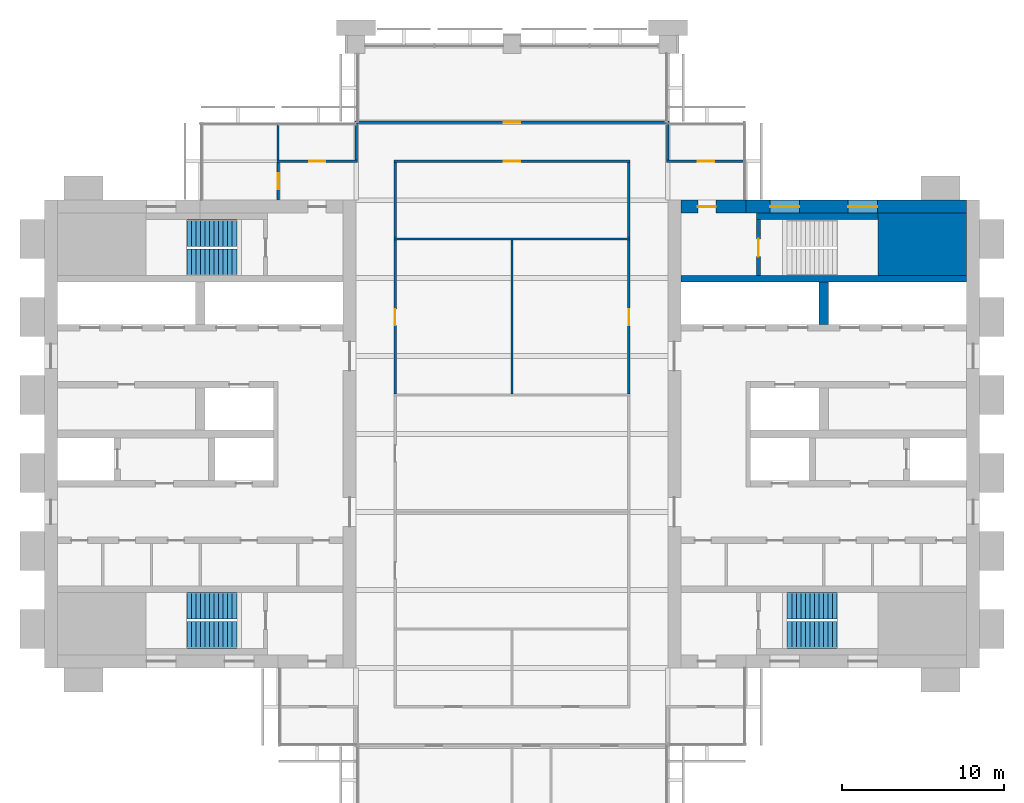
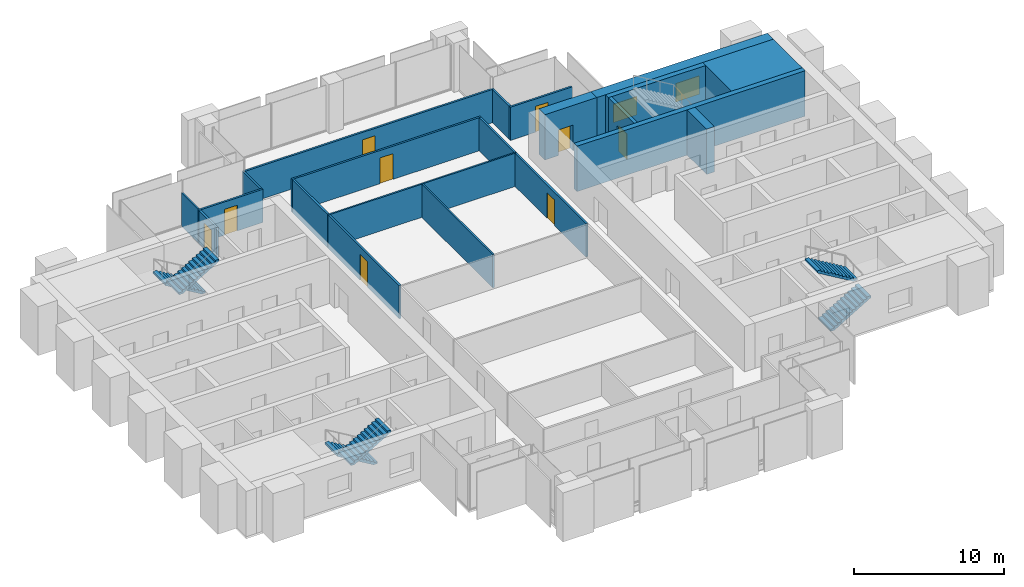
# One storey, part 11 of 13: 21 walls, 9 doors, 6 stair flights, 2 windows, 11 openings, 3 elements without a shape of their own.
"""IFC4 building model written with IfcOpenShell, lengths in metres."""

from ifc_helpers import new_model, si_unit, direction, frame, frame_2d, origin, place, context, subcontext, project, spatial, polyline, rectangle, outline, extrude, material, layer, layer_set, type_object, element, fill, aggregate, save


model = new_model("IFC4")

# Units and contexts
model_context = context("Model", 3, precision=1e-05, world=origin(), true_north=direction((0.0, 1.0)))
body_context = subcontext(model_context, "Body", "Model", "MODEL_VIEW")
ifc_project = project(units=[si_unit("LENGTHUNIT", "METRE"), si_unit("AREAUNIT", "SQUARE_METRE"), si_unit("VOLUMEUNIT", "CUBIC_METRE"), si_unit("PLANEANGLEUNIT", "RADIAN"), si_unit("MASSUNIT", "GRAM", prefix="KILO")], contexts=[model_context])

# Site, building, storey
site_placement = place(None, origin())
site = spatial("IfcSite", under=ifc_project, at=site_placement, CompositionType="ELEMENT")
building_placement = place(site_placement, origin())
building = spatial("IfcBuilding", under=site, at=building_placement, Name="Baori Bourse Tower", CompositionType="ELEMENT")
storey_placement = place(building_placement, frame((0.0, 0.0, 261.199951171875)))
storey = spatial("IfcBuildingStorey", under=building, at=storey_placement, Name="L58", CompositionType="ELEMENT", Elevation=261.199951171875)

# Wall
ifc_material_1 = material(Name="Concrete f'c 50 MPa", Category="concrete")
wall_type_1 = type_object("IfcWallType", Name="Core corner block f'c 50", PredefinedType="SHEAR", material=ifc_material_1)
wall_1_placement = place(storey_placement, frame((51.35009765625, 35.675048828125, 0.0), z_axis=(0.0, 0.0, 1.0), x_axis=(1.0, 0.0, 0.0)))
element("IfcWall", 1, at=wall_1_placement, inside=storey, type_object=wall_type_1, Name="Core wall E24", PredefinedType="SHEAR", context=body_context, shape_type="SweptSolid", body=[
    extrude(rectangle(XDim=5.449951171875, YDim=3.85009765625, at=frame_2d((2.72509765625, 0.0))), origin(), (0.0, 0.0, 1.0), 3.699951171875),
])

# Wall, openings, windows
ifc_material_2 = material(Name="Concrete f'c 50 MPa", Category="concrete")
ifc_layer_1 = layer(ifc_material_2, 0.800048828125)
ifc_layer_set_1 = layer_set([ifc_layer_1], Name="Core wall 800 f'c 50")
wall_type_2 = type_object("IfcWallType", Name="Core wall 800 f'c 50", PredefinedType="SHEAR", material=ifc_layer_set_1)
wall_2_placement = place(storey_placement, frame((43.199951171875, 38.0, 0.0), z_axis=(0.0, 0.0, 1.0), x_axis=(1.0, 0.0, 0.0)))
wall_2 = element("IfcWall", 2, at=wall_2_placement, inside=storey, type_object=wall_type_2, Name="Core wall E27", PredefinedType="SHEAR", context=body_context, shape_type="SweptSolid", body=[
    extrude(rectangle(XDim=13.60009765625, YDim=0.800048828125, at=frame_2d((6.800048828125, 0.0))), origin(), (0.0, 0.0, 1.0), 3.699951171875),
])
opening_1_placement = place(wall_2_placement, frame((6.300048828125, 0.0, 0.89990234375)))
opening_1 = element("IfcOpeningElement", 3, at=opening_1_placement, cuts=wall_2, Name="Opening L58-KW205", PredefinedType="OPENING", context=body_context, shape_type="SweptSolid", body=[
    extrude(rectangle(XDim=1.800048828125, YDim=1.5, at=frame_2d((0.89990234375, 0.75))), frame((0.0, 0.409912109375, 0.0), z_axis=(0.0, -1.0, 0.0), x_axis=(1.0, 0.0, 0.0)), (0.0, 0.0, 1.0), 0.820068359375),
])
opening_2_placement = place(wall_2_placement, frame((1.5, 0.0, 0.89990234375)))
opening_2 = element("IfcOpeningElement", 4, at=opening_2_placement, cuts=wall_2, Name="Opening L58-KW206", PredefinedType="OPENING", context=body_context, shape_type="SweptSolid", body=[
    extrude(rectangle(XDim=1.800048828125, YDim=1.5, at=frame_2d((0.89990234375, 0.75))), frame((0.0, 0.409912109375, 0.0), z_axis=(0.0, -1.0, 0.0), x_axis=(1.0, 0.0, 0.0)), (0.0, 0.0, 1.0), 0.820068359375),
])
ifc_material_3 = material(Name="Pale anodised aluminium", Category="aluminium")
window_type = type_object("IfcWindowType", Name="Stair window 1800 x 1500", PartitioningType="SINGLE_PANEL", PredefinedType="WINDOW", material=ifc_material_3)
window_1_placement = place(opening_1_placement, origin())
window_1 = element("IfcWindow", 5, at=window_1_placement, inside=storey, type_object=window_type, Name="Stair window E L58 5", OverallHeight=1.5, OverallWidth=1.800048828125, PartitioningType="SINGLE_PANEL", PredefinedType="WINDOW", context=body_context, shape_type="SweptSolid", body=[
    extrude(rectangle(XDim=1.800048828125, YDim=1.5, at=frame_2d((0.89990234375, 0.75))), frame((0.0, 0.030029296875, 0.0), z_axis=(0.0, -1.0, 0.0), x_axis=(1.0, 0.0, 0.0)), (0.0, 0.0, 1.0), 0.06005859375),
])
fill(opening_1, window_1)
window_2_placement = place(opening_2_placement, origin())
window_2 = element("IfcWindow", 6, at=window_2_placement, inside=storey, type_object=window_type, Name="Stair window E L58 6", OverallHeight=1.5, OverallWidth=1.800048828125, PartitioningType="SINGLE_PANEL", PredefinedType="WINDOW", context=body_context, shape_type="SweptSolid", body=[
    extrude(rectangle(XDim=1.800048828125, YDim=1.5, at=frame_2d((0.89990234375, 0.75))), frame((0.0, 0.030029296875, 0.0), z_axis=(0.0, -1.0, 0.0), x_axis=(1.0, 0.0, 0.0)), (0.0, 0.0, 1.0), 0.06005859375),
])
fill(opening_2, window_2)

# Wall, opening, door
wall_3_placement = place(storey_placement, frame((39.199951171875, 38.0, 0.0), z_axis=(0.0, 0.0, 1.0), x_axis=(1.0, 0.0, 0.0)))
wall_3 = element("IfcWall", 7, at=wall_3_placement, inside=storey, type_object=wall_type_2, Name="Core wall E28", PredefinedType="SHEAR", context=body_context, shape_type="SweptSolid", body=[
    extrude(rectangle(XDim=4.0, YDim=0.800048828125, at=frame_2d((2.0, 0.0))), origin(), (0.0, 0.0, 1.0), 3.699951171875),
])
opening_3_placement = place(wall_3_placement, frame((1.050048828125, 0.0, 0.0)))
opening_3 = element("IfcOpeningElement", 8, at=opening_3_placement, cuts=wall_3, Name="Opening L58-D204", PredefinedType="OPENING", context=body_context, shape_type="SweptSolid", body=[
    extrude(rectangle(XDim=1.10009765625, YDim=2.10009765625, at=frame_2d((0.550048828125, 1.050048828125))), frame((0.0, 0.409912109375, 0.0), z_axis=(0.0, -1.0, 0.0), x_axis=(1.0, 0.0, 0.0)), (0.0, 0.0, 1.0), 0.820068359375),
])
ifc_material_4 = material(Name="Painted steel door", Category="steel")
door_type_1 = type_object("IfcDoorType", Name="Stair door 1100", OperationType="SINGLE_SWING_LEFT", PredefinedType="DOOR", material=ifc_material_4)
door_1_placement = place(opening_3_placement, origin())
door_1 = element("IfcDoor", 9, at=door_1_placement, inside=storey, type_object=door_type_1, Name="Stair vestibule door B E L58", OperationType="SINGLE_SWING_LEFT", OverallHeight=2.10009765625, OverallWidth=1.10009765625, PredefinedType="DOOR", context=body_context, shape_type="SweptSolid", body=[
    extrude(rectangle(XDim=1.10009765625, YDim=2.10009765625, at=frame_2d((0.550048828125, 1.050048828125))), frame((0.0, 0.02490234375, 0.0), z_axis=(0.0, -1.0, 0.0), x_axis=(1.0, 0.0, 0.0)), (0.0, 0.0, 1.0), 0.050048828125),
])
fill(opening_3, door_1)

ifc_material_5 = material(Name="Gypsum board partition")
ifc_layer_2 = layer(ifc_material_5, 0.14990234375)
ifc_layer_set_2 = layer_set([ifc_layer_2], Name="Corridor partition 150")
wall_type_3 = type_object("IfcWallType", Name="Corridor partition 150", PredefinedType="PARTITIONING", material=ifc_layer_set_2)
wall_4_placement = place(storey_placement, frame((14.324951171875, 40.800048828125, 0.0), z_axis=(0.0, 0.0, 1.0), x_axis=(1.0, 0.0, 0.0)))
wall_4 = element("IfcWall", 10, at=wall_4_placement, inside=storey, type_object=wall_type_3, Name="Partition", PredefinedType="PARTITIONING", context=body_context, shape_type="SweptSolid", body=[
    extrude(rectangle(XDim=4.949951171875, YDim=0.14990234375, at=frame_2d((2.47509765625, 0.0))), origin(), (0.0, 0.0, 1.0), 2.70947265625),
])
opening_4_placement = place(wall_4_placement, frame((1.97509765625, 0.0, 0.0)))
opening_4 = element("IfcOpeningElement", 11, at=opening_4_placement, cuts=wall_4, Name="Opening L58-D08", PredefinedType="OPENING", context=body_context, shape_type="SweptSolid", body=[
    extrude(rectangle(XDim=1.0, YDim=2.10009765625, at=frame_2d((0.5, 1.050048828125))), frame((0.0, 0.0849609375, 0.0), z_axis=(0.0, -1.0, 0.0), x_axis=(1.0, 0.0, 0.0)), (0.0, 0.0, 1.0), 0.169921875),
])
ifc_material_6 = material(Name="Timber door leaf", Category="wood")
door_type_2 = type_object("IfcDoorType", Name="Door 1000 x 2100", OperationType="SINGLE_SWING_LEFT", PredefinedType="DOOR", material=ifc_material_6)
door_2_placement = place(opening_4_placement, origin())
door_2 = element("IfcDoor", 12, at=door_2_placement, inside=storey, type_object=door_type_2, Name="Door", OperationType="SINGLE_SWING_LEFT", OverallHeight=2.10009765625, OverallWidth=1.0, PredefinedType="DOOR", context=body_context, shape_type="SweptSolid", body=[
    extrude(rectangle(XDim=1.0, YDim=2.10009765625, at=frame_2d((0.5, 1.050048828125))), frame((0.0, 0.02490234375, 0.0), z_axis=(0.0, -1.0, 0.0), x_axis=(1.0, 0.0, 0.0)), (0.0, 0.0, 1.0), 0.050048828125),
])
fill(opening_4, door_2)

wall_5_placement = place(storey_placement, frame((21.52490234375, 40.800048828125, 0.0), z_axis=(0.0, 0.0, 1.0), x_axis=(1.0, 0.0, 0.0)))
wall_5 = element("IfcWall", 13, at=wall_5_placement, inside=storey, type_object=wall_type_3, Name="Partition", PredefinedType="PARTITIONING", context=body_context, shape_type="SweptSolid", body=[
    extrude(rectangle(XDim=14.550048828125, YDim=0.14990234375, at=frame_2d((7.27490234375, 0.0))), origin(), (0.0, 0.0, 1.0), 2.70947265625),
])
opening_5_placement = place(wall_5_placement, frame((6.77490234375, 0.0, 0.0)))
opening_5 = element("IfcOpeningElement", 14, at=opening_5_placement, cuts=wall_5, Name="Opening L58-D09", PredefinedType="OPENING", context=body_context, shape_type="SweptSolid", body=[
    extrude(rectangle(XDim=1.0, YDim=2.10009765625, at=frame_2d((0.5, 1.050048828125))), frame((0.0, 0.0849609375, 0.0), z_axis=(0.0, -1.0, 0.0), x_axis=(1.0, 0.0, 0.0)), (0.0, 0.0, 1.0), 0.169921875),
])
door_3_placement = place(opening_5_placement, origin())
door_3 = element("IfcDoor", 15, at=door_3_placement, inside=storey, type_object=door_type_2, Name="Door", OperationType="SINGLE_SWING_LEFT", OverallHeight=2.10009765625, OverallWidth=1.0, PredefinedType="DOOR", context=body_context, shape_type="SweptSolid", body=[
    extrude(rectangle(XDim=1.0, YDim=2.10009765625, at=frame_2d((0.5, 1.050048828125))), frame((0.0, 0.02490234375, 0.0), z_axis=(0.0, -1.0, 0.0), x_axis=(1.0, 0.0, 0.0)), (0.0, 0.0, 1.0), 0.050048828125),
])
fill(opening_5, door_3)

wall_6_placement = place(storey_placement, frame((38.324951171875, 40.800048828125, 0.0), z_axis=(0.0, 0.0, 1.0), x_axis=(1.0, 0.0, 0.0)))
wall_6 = element("IfcWall", 16, at=wall_6_placement, inside=storey, type_object=wall_type_3, Name="Partition", PredefinedType="PARTITIONING", context=body_context, shape_type="SweptSolid", body=[
    extrude(rectangle(XDim=4.775146484375, YDim=0.14990234375, at=frame_2d((2.3876953125, 0.0))), origin(), (0.0, 0.0, 1.0), 2.70947265625),
])
opening_6_placement = place(wall_6_placement, frame((1.925048828125, 0.0, 0.0)))
opening_6 = element("IfcOpeningElement", 17, at=opening_6_placement, cuts=wall_6, Name="Opening L58-D10", PredefinedType="OPENING", context=body_context, shape_type="SweptSolid", body=[
    extrude(rectangle(XDim=1.0, YDim=2.10009765625, at=frame_2d((0.5, 1.050048828125))), frame((0.0, 0.0849609375, 0.0), z_axis=(0.0, -1.0, 0.0), x_axis=(1.0, 0.0, 0.0)), (0.0, 0.0, 1.0), 0.169921875),
])
door_4_placement = place(opening_6_placement, origin())
door_4 = element("IfcDoor", 18, at=door_4_placement, inside=storey, type_object=door_type_2, Name="Door", OperationType="SINGLE_SWING_LEFT", OverallHeight=2.10009765625, OverallWidth=1.0, PredefinedType="DOOR", context=body_context, shape_type="SweptSolid", body=[
    extrude(rectangle(XDim=1.0, YDim=2.10009765625, at=frame_2d((0.5, 1.050048828125))), frame((0.0, 0.02490234375, 0.0), z_axis=(0.0, -1.0, 0.0), x_axis=(1.0, 0.0, 0.0)), (0.0, 0.0, 1.0), 0.050048828125),
])
fill(opening_6, door_4)

wall_7_placement = place(storey_placement, frame((19.125, 43.199951171875, 0.0), z_axis=(0.0, 0.0, 1.0), x_axis=(1.0, 0.0, 0.0)))
wall_7 = element("IfcWall", 19, at=wall_7_placement, inside=storey, type_object=wall_type_3, Name="Partition", PredefinedType="PARTITIONING", context=body_context, shape_type="SweptSolid", body=[
    extrude(rectangle(XDim=19.35009765625, YDim=0.14990234375, at=frame_2d((9.675048828125, 0.0))), origin(), (0.0, 0.0, 1.0), 2.70947265625),
])
opening_7_placement = place(wall_7_placement, frame((9.175048828125, 0.0, 0.0)))
opening_7 = element("IfcOpeningElement", 20, at=opening_7_placement, cuts=wall_7, Name="Opening L58-D11", PredefinedType="OPENING", context=body_context, shape_type="SweptSolid", body=[
    extrude(rectangle(XDim=1.0, YDim=2.10009765625, at=frame_2d((0.5, 1.050048828125))), frame((0.0, 0.0849609375, 0.0), z_axis=(0.0, -1.0, 0.0), x_axis=(1.0, 0.0, 0.0)), (0.0, 0.0, 1.0), 0.169921875),
])
door_5_placement = place(opening_7_placement, origin())
door_5 = element("IfcDoor", 21, at=door_5_placement, inside=storey, type_object=door_type_2, Name="Door", OperationType="SINGLE_SWING_RIGHT", OverallHeight=2.10009765625, OverallWidth=1.0, PredefinedType="DOOR", context=body_context, shape_type="SweptSolid", body=[
    extrude(rectangle(XDim=1.0, YDim=2.10009765625, at=frame_2d((0.5, 1.050048828125))), frame((0.0, 0.02490234375, 0.0), z_axis=(0.0, -1.0, 0.0), x_axis=(1.0, 0.0, 0.0)), (0.0, 0.0, 1.0), 0.050048828125),
])
fill(opening_7, door_5)

wall_8_placement = place(storey_placement, frame((14.39990234375, 38.39990234375, 0.0), z_axis=(0.0, 0.0, 1.0), x_axis=(0.0, 1.0, 0.0)))
wall_8 = element("IfcWall", 22, at=wall_8_placement, inside=storey, type_object=wall_type_3, Name="Partition", PredefinedType="PARTITIONING", context=body_context, shape_type="SweptSolid", body=[
    extrude(rectangle(XDim=2.3251953125, YDim=0.14990234375, at=frame_2d((1.16259765625, 0.0))), origin(), (0.0, 0.0, 1.0), 2.70947265625),
])
opening_8_placement = place(wall_8_placement, frame((0.66259765625, 0.0, 0.0)))
opening_8 = element("IfcOpeningElement", 23, at=opening_8_placement, cuts=wall_8, Name="Opening L58-D12", PredefinedType="OPENING", context=body_context, shape_type="SweptSolid", body=[
    extrude(rectangle(XDim=1.0, YDim=2.10009765625, at=frame_2d((0.5, 1.050048828125))), frame((0.0, 0.0849609375, 0.0), z_axis=(0.0, -1.0, 0.0), x_axis=(1.0, 0.0, 0.0)), (0.0, 0.0, 1.0), 0.169921875),
])
door_6_placement = place(opening_8_placement, origin())
door_6 = element("IfcDoor", 24, at=door_6_placement, inside=storey, type_object=door_type_2, Name="Door", OperationType="SINGLE_SWING_RIGHT", OverallHeight=2.10009765625, OverallWidth=1.0, PredefinedType="DOOR", context=body_context, shape_type="SweptSolid", body=[
    extrude(rectangle(XDim=1.0, YDim=2.10009765625, at=frame_2d((0.5, 1.050048828125))), frame((0.0, 0.02490234375, 0.0), z_axis=(0.0, -1.0, 0.0), x_axis=(1.0, 0.0, 0.0)), (0.0, 0.0, 1.0), 0.050048828125),
])
fill(opening_8, door_6)

# Wall
wall_9_placement = place(storey_placement, frame((19.199951171875, 40.875, 0.0), z_axis=(0.0, 0.0, 1.0), x_axis=(0.0, 1.0, 0.0)))
element("IfcWall", 25, at=wall_9_placement, inside=storey, type_object=wall_type_3, Name="Partition", PredefinedType="PARTITIONING", context=body_context, shape_type="SweptSolid", body=[
    extrude(rectangle(XDim=2.25, YDim=0.14990234375, at=frame_2d((1.125, 0.0))), origin(), (0.0, 0.0, 1.0), 2.70947265625),
])

# Wall, opening, door
wall_10_placement = place(storey_placement, frame((21.60009765625, 26.46240234375, 0.0), z_axis=(0.0, 0.0, 1.0), x_axis=(0.0, 1.0, 0.0)))
wall_10 = element("IfcWall", 26, at=wall_10_placement, inside=storey, type_object=wall_type_3, Name="Partition", PredefinedType="PARTITIONING", context=body_context, shape_type="SweptSolid", body=[
    extrude(rectangle(XDim=9.47509765625, YDim=0.14990234375, at=frame_2d((4.737548828125, 0.0))), origin(), (0.0, 0.0, 1.0), 2.70947265625),
])
opening_9_placement = place(wall_10_placement, frame((4.237548828125, 0.0, 0.0)))
opening_9 = element("IfcOpeningElement", 27, at=opening_9_placement, cuts=wall_10, Name="Opening L58-D15", PredefinedType="OPENING", context=body_context, shape_type="SweptSolid", body=[
    extrude(rectangle(XDim=1.0, YDim=2.10009765625, at=frame_2d((0.5, 1.050048828125))), frame((0.0, 0.0849609375, 0.0), z_axis=(0.0, -1.0, 0.0), x_axis=(1.0, 0.0, 0.0)), (0.0, 0.0, 1.0), 0.169921875),
])
door_7_placement = place(opening_9_placement, origin())
door_7 = element("IfcDoor", 28, at=door_7_placement, inside=storey, type_object=door_type_2, Name="Door", OperationType="SINGLE_SWING_LEFT", OverallHeight=2.10009765625, OverallWidth=1.0, PredefinedType="DOOR", context=body_context, shape_type="SweptSolid", body=[
    extrude(rectangle(XDim=1.0, YDim=2.10009765625, at=frame_2d((0.5, 1.050048828125))), frame((0.0, 0.02490234375, 0.0), z_axis=(0.0, -1.0, 0.0), x_axis=(1.0, 0.0, 0.0)), (0.0, 0.0, 1.0), 0.050048828125),
])
fill(opening_9, door_7)

# Wall
wall_11_placement = place(storey_placement, frame((21.60009765625, 36.0625, 0.0), z_axis=(0.0, 0.0, 1.0), x_axis=(0.0, 1.0, 0.0)))
element("IfcWall", 29, at=wall_11_placement, inside=storey, type_object=wall_type_3, Name="Partition", PredefinedType="PARTITIONING", context=body_context, shape_type="SweptSolid", body=[
    extrude(rectangle(XDim=4.66259765625, YDim=0.14990234375, at=frame_2d((2.331298828125, 0.0))), origin(), (0.0, 0.0, 1.0), 2.70947265625),
])

# Wall, opening, door
wall_12_placement = place(storey_placement, frame((36.0, 26.46240234375, 0.0), z_axis=(0.0, 0.0, 1.0), x_axis=(0.0, 1.0, 0.0)))
wall_12 = element("IfcWall", 30, at=wall_12_placement, inside=storey, type_object=wall_type_3, Name="Partition", PredefinedType="PARTITIONING", context=body_context, shape_type="SweptSolid", body=[
    extrude(rectangle(XDim=9.47509765625, YDim=0.14990234375, at=frame_2d((4.737548828125, 0.0))), origin(), (0.0, 0.0, 1.0), 2.70947265625),
])
opening_10_placement = place(wall_12_placement, frame((4.237548828125, 0.0, 0.0)))
opening_10 = element("IfcOpeningElement", 31, at=opening_10_placement, cuts=wall_12, Name="Opening L58-D16", PredefinedType="OPENING", context=body_context, shape_type="SweptSolid", body=[
    extrude(rectangle(XDim=1.0, YDim=2.10009765625, at=frame_2d((0.5, 1.050048828125))), frame((0.0, 0.0849609375, 0.0), z_axis=(0.0, -1.0, 0.0), x_axis=(1.0, 0.0, 0.0)), (0.0, 0.0, 1.0), 0.169921875),
])
door_8_placement = place(opening_10_placement, origin())
door_8 = element("IfcDoor", 32, at=door_8_placement, inside=storey, type_object=door_type_2, Name="Door", OperationType="SINGLE_SWING_RIGHT", OverallHeight=2.10009765625, OverallWidth=1.0, PredefinedType="DOOR", context=body_context, shape_type="SweptSolid", body=[
    extrude(rectangle(XDim=1.0, YDim=2.10009765625, at=frame_2d((0.5, 1.050048828125))), frame((0.0, 0.02490234375, 0.0), z_axis=(0.0, -1.0, 0.0), x_axis=(1.0, 0.0, 0.0)), (0.0, 0.0, 1.0), 0.050048828125),
])
fill(opening_10, door_8)

# Walls
wall_13_placement = place(storey_placement, frame((36.0, 36.0625, 0.0), z_axis=(0.0, 0.0, 1.0), x_axis=(0.0, 1.0, 0.0)))
element("IfcWall", 33, at=wall_13_placement, inside=storey, type_object=wall_type_3, Name="Partition", PredefinedType="PARTITIONING", context=body_context, shape_type="SweptSolid", body=[
    extrude(rectangle(XDim=4.66259765625, YDim=0.14990234375, at=frame_2d((2.331298828125, 0.0))), origin(), (0.0, 0.0, 1.0), 2.70947265625),
])
wall_14_placement = place(storey_placement, frame((38.39990234375, 40.875, 0.0), z_axis=(0.0, 0.0, 1.0), x_axis=(0.0, 1.0, 0.0)))
element("IfcWall", 34, at=wall_14_placement, inside=storey, type_object=wall_type_3, Name="Partition", PredefinedType="PARTITIONING", context=body_context, shape_type="SweptSolid", body=[
    extrude(rectangle(XDim=2.25, YDim=0.14990234375, at=frame_2d((1.125, 0.0))), origin(), (0.0, 0.0, 1.0), 2.70947265625),
])
ifc_material_7 = material(Name="Gypsum board partition")
ifc_layer_3 = layer(ifc_material_7, 0.125)
ifc_layer_set_3 = layer_set([ifc_layer_3], Name="Partition 125")
wall_type_4 = type_object("IfcWallType", Name="Partition 125", PredefinedType="PARTITIONING", material=ifc_layer_set_3)
wall_15_placement = place(storey_placement, frame((21.52490234375, 36.0, 0.0), z_axis=(0.0, 0.0, 1.0), x_axis=(1.0, 0.0, 0.0)))
element("IfcWall", 35, at=wall_15_placement, inside=storey, type_object=wall_type_4, Name="Partition", PredefinedType="PARTITIONING", context=body_context, shape_type="SweptSolid", body=[
    extrude(rectangle(XDim=14.550048828125, YDim=0.125, at=frame_2d((7.27490234375, 0.0))), origin(), (0.0, 0.0, 1.0), 2.70947265625),
])
wall_16_placement = place(storey_placement, frame((14.39990234375, 40.875, 0.0), z_axis=(0.0, 0.0, 1.0), x_axis=(0.0, 1.0, 0.0)))
element("IfcWall", 36, at=wall_16_placement, inside=storey, type_object=wall_type_4, Name="Partition", PredefinedType="PARTITIONING", context=body_context, shape_type="SweptSolid", body=[
    extrude(rectangle(XDim=2.22509765625, YDim=0.125, at=frame_2d((1.112548828125, 0.0))), origin(), (0.0, 0.0, 1.0), 2.70947265625),
])
wall_17_placement = place(storey_placement, frame((28.800048828125, 26.46240234375, 0.0), z_axis=(0.0, 0.0, 1.0), x_axis=(0.0, 1.0, 0.0)))
element("IfcWall", 37, at=wall_17_placement, inside=storey, type_object=wall_type_4, Name="Partition", PredefinedType="PARTITIONING", context=body_context, shape_type="SweptSolid", body=[
    extrude(rectangle(XDim=9.47509765625, YDim=0.125, at=frame_2d((4.737548828125, 0.0))), origin(), (0.0, 0.0, 1.0), 2.70947265625),
])

# Wall, opening, door
ifc_material_8 = material(Name="Concrete f'c 50 MPa", Category="concrete")
ifc_layer_4 = layer(ifc_material_8, 0.25)
ifc_layer_set_4 = layer_set([ifc_layer_4], Name="Shaft wall 250 f'c 50")
wall_type_5 = type_object("IfcWallType", Name="Shaft wall 250 f'c 50", PredefinedType="SHEAR", material=ifc_layer_set_4)
wall_18_placement = place(storey_placement, frame((43.97509765625, 33.75, 0.0), z_axis=(0.0, 0.0, 1.0), x_axis=(0.0, 1.0, 0.0)))
wall_18 = element("IfcWall", 38, at=wall_18_placement, inside=storey, type_object=wall_type_5, Name="Core wall E25", PredefinedType="SHEAR", context=body_context, shape_type="SweptSolid", body=[
    extrude(rectangle(XDim=3.449951171875, YDim=0.25, at=frame_2d((1.72509765625, 0.0))), origin(), (0.0, 0.0, 1.0), 3.699951171875),
])
opening_11_placement = place(wall_18_placement, frame((1.175048828125, 0.0, 0.0)))
opening_11 = element("IfcOpeningElement", 39, at=opening_11_placement, cuts=wall_18, Name="Opening L58-D203", PredefinedType="OPENING", context=body_context, shape_type="SweptSolid", body=[
    extrude(rectangle(XDim=1.10009765625, YDim=2.10009765625, at=frame_2d((0.550048828125, 1.050048828125))), frame((0.0, 0.135009765625, 0.0), z_axis=(0.0, -1.0, 0.0), x_axis=(1.0, 0.0, 0.0)), (0.0, 0.0, 1.0), 0.27001953125),
])
door_9_placement = place(opening_11_placement, origin())
door_9 = element("IfcDoor", 40, at=door_9_placement, inside=storey, type_object=door_type_1, Name="Stair door B E L58", OperationType="SINGLE_SWING_LEFT", OverallHeight=2.10009765625, OverallWidth=1.10009765625, PredefinedType="DOOR", context=body_context, shape_type="SweptSolid", body=[
    extrude(rectangle(XDim=1.10009765625, YDim=2.10009765625, at=frame_2d((0.550048828125, 1.050048828125))), frame((0.0, 0.02490234375, 0.0), z_axis=(0.0, -1.0, 0.0), x_axis=(1.0, 0.0, 0.0)), (0.0, 0.0, 1.0), 0.050048828125),
])
fill(opening_11, door_9)

# Walls
ifc_material_9 = material(Name="Concrete f'c 50 MPa", Category="concrete")
ifc_layer_5 = layer(ifc_material_9, 0.39990234375)
ifc_layer_set_5 = layer_set([ifc_layer_5], Name="Shaft wall 400 f'c 50")
wall_type_6 = type_object("IfcWallType", Name="Shaft wall 400 f'c 50", PredefinedType="SHEAR", material=ifc_layer_set_5)
wall_19_placement = place(storey_placement, frame((39.199951171875, 33.550048828125, 0.0), z_axis=(0.0, 0.0, 1.0), x_axis=(1.0, 0.0, 0.0)))
element("IfcWall", 41, at=wall_19_placement, inside=storey, type_object=wall_type_6, Name="Core wall E23", PredefinedType="SHEAR", context=body_context, shape_type="SweptSolid", body=[
    extrude(rectangle(XDim=17.60009765625, YDim=0.39990234375, at=frame_2d((8.800048828125, 0.0))), origin(), (0.0, 0.0, 1.0), 3.699951171875),
])
wall_20_placement = place(storey_placement, frame((43.85009765625, 37.39990234375, 0.0), z_axis=(0.0, 0.0, 1.0), x_axis=(1.0, 0.0, 0.0)))
element("IfcWall", 42, at=wall_20_placement, inside=storey, type_object=wall_type_6, Name="Core wall E26", PredefinedType="SHEAR", context=body_context, shape_type="SweptSolid", body=[
    extrude(rectangle(XDim=7.5, YDim=0.39990234375, at=frame_2d((3.75, 0.0))), origin(), (0.0, 0.0, 1.0), 3.699951171875),
])
ifc_material_10 = material(Name="Concrete f'c 50 MPa", Category="concrete")
ifc_layer_6 = layer(ifc_material_10, 0.60009765625)
ifc_layer_set_6 = layer_set([ifc_layer_6], Name="Shaft wall 600 f'c 50")
wall_type_7 = type_object("IfcWallType", Name="Shaft wall 600 f'c 50", PredefinedType="SHEAR", material=ifc_layer_set_6)
wall_21_placement = place(storey_placement, frame((48.0, 30.75, 0.0), z_axis=(0.0, 0.0, 1.0), x_axis=(0.0, 1.0, 0.0)))
element("IfcWall", 43, at=wall_21_placement, inside=storey, type_object=wall_type_7, Name="Core wall E22", PredefinedType="SHEAR", context=body_context, shape_type="SweptSolid", body=[
    extrude(rectangle(XDim=2.60009765625, YDim=0.60009765625, at=frame_2d((1.300048828125, 0.0))), origin(), (0.0, 0.0, 1.0), 3.699951171875),
])

# Stair, stair flights
ifc_material_11 = material(Name="Concrete f'c 50 MPa", Category="concrete")
stair_type = type_object("IfcStairType", Name="Core stair", PredefinedType="HALF_TURN_STAIR", material=ifc_material_11)
stair_1_placement = place(storey_placement, origin())
stair_1 = element("IfcStair", 44, at=stair_1_placement, inside=storey, type_object=stair_type, Name="L58 Stair WA", PredefinedType="HALF_TURN_STAIR")
ifc_material_12 = material(Name="Concrete f'c 50 MPa", Category="concrete")
stair_flight_type = type_object("IfcStairFlightType", Name="Core stair flight", PredefinedType="STRAIGHT", material=ifc_material_12)
stair_flight_1_placement = place(storey_placement, frame((11.85009765625, 13.425048828125, 0.0), z_axis=(0.0, 0.0, 1.0), x_axis=(-1.0, 0.0, 0.0)))
stair_flight_1 = element("IfcStairFlight", 45, at=stair_flight_1_placement, type_object=stair_flight_type, Name="ST1 flight 1", NumberOfRisers=12, NumberOfTreads=11, PredefinedType="STRAIGHT", RiserHeight=0.166666667, TreadLength=0.28, context=body_context, shape_type="SweptSolid", body=[
    extrude(outline(polyline([(0.0, 0.0), (0.0, 0.166748046875), (0.280029296875, 0.166748046875), (0.280029296875, 0.333251953125), (0.56005859375, 0.333251953125), (0.56005859375, 0.5), (0.840087890625, 0.5), (0.840087890625, 0.666748046875), (1.1201171875, 0.666748046875), (1.1201171875, 0.833251953125), (1.39990234375, 0.833251953125), (1.39990234375, 1.0), (1.679931640625, 1.0), (1.679931640625, 1.166748046875), (1.9599609375, 1.166748046875), (1.9599609375, 1.333251953125), (2.239990234375, 1.333251953125), (2.239990234375, 1.5), (2.52001953125, 1.5), (2.52001953125, 1.666748046875), (2.800048828125, 1.666748046875), (2.800048828125, 1.833251953125), (3.080078125, 1.833251953125), (3.080078125, 2.0), (3.080078125, 1.658935546875), (0.29296875, 0.0), (0.0, 0.0)])), frame((0.0, 0.824951171875, 0.0), z_axis=(0.0, -1.0, 0.0), x_axis=(1.0, 0.0, 0.0)), (0.0, 0.0, 1.0), 1.64990234375),
])
stair_flight_2_placement = place(storey_placement, frame((8.77001953125, 11.625, 2.0), z_axis=(0.0, 0.0, 1.0), x_axis=(1.0, 0.0, 0.0)))
stair_flight_2 = element("IfcStairFlight", 46, at=stair_flight_2_placement, type_object=stair_flight_type, Name="ST1 flight 2", NumberOfRisers=12, NumberOfTreads=11, PredefinedType="STRAIGHT", RiserHeight=0.166666667, TreadLength=0.28, context=body_context, shape_type="SweptSolid", body=[
    extrude(outline(polyline([(0.0, 0.0), (0.0, 0.166748046875), (0.280029296875, 0.166748046875), (0.280029296875, 0.333251953125), (0.56005859375, 0.333251953125), (0.56005859375, 0.5), (0.840087890625, 0.5), (0.840087890625, 0.666748046875), (1.1201171875, 0.666748046875), (1.1201171875, 0.833251953125), (1.39990234375, 0.833251953125), (1.39990234375, 1.0), (1.679931640625, 1.0), (1.679931640625, 1.166748046875), (1.9599609375, 1.166748046875), (1.9599609375, 1.333251953125), (2.239990234375, 1.333251953125), (2.239990234375, 1.5), (2.52001953125, 1.5), (2.52001953125, 1.666748046875), (2.800048828125, 1.666748046875), (2.800048828125, 1.833251953125), (3.080078125, 1.833251953125), (3.080078125, 2.0), (3.080078125, 1.658935546875), (0.29296875, 0.0), (0.0, 0.0)])), frame((0.0, 0.824951171875, 0.0), z_axis=(0.0, -1.0, 0.0), x_axis=(1.0, 0.0, 0.0)), (0.0, 0.0, 1.0), 1.64990234375),
])
aggregate(stair_1, [stair_flight_1, stair_flight_2])

stair_2_placement = place(storey_placement, origin())
stair_2 = element("IfcStair", 47, at=stair_2_placement, inside=storey, type_object=stair_type, Name="L58 Stair WB", PredefinedType="HALF_TURN_STAIR")
stair_flight_3_placement = place(storey_placement, frame((11.85009765625, 36.375, 0.0), z_axis=(0.0, 0.0, 1.0), x_axis=(-1.0, 0.0, 0.0)))
stair_flight_3 = element("IfcStairFlight", 48, at=stair_flight_3_placement, type_object=stair_flight_type, Name="ST2 flight 1", NumberOfRisers=12, NumberOfTreads=11, PredefinedType="STRAIGHT", RiserHeight=0.166666667, TreadLength=0.28, context=body_context, shape_type="SweptSolid", body=[
    extrude(outline(polyline([(0.0, 0.0), (0.0, 0.166748046875), (0.280029296875, 0.166748046875), (0.280029296875, 0.333251953125), (0.56005859375, 0.333251953125), (0.56005859375, 0.5), (0.840087890625, 0.5), (0.840087890625, 0.666748046875), (1.1201171875, 0.666748046875), (1.1201171875, 0.833251953125), (1.39990234375, 0.833251953125), (1.39990234375, 1.0), (1.679931640625, 1.0), (1.679931640625, 1.166748046875), (1.9599609375, 1.166748046875), (1.9599609375, 1.333251953125), (2.239990234375, 1.333251953125), (2.239990234375, 1.5), (2.52001953125, 1.5), (2.52001953125, 1.666748046875), (2.800048828125, 1.666748046875), (2.800048828125, 1.833251953125), (3.080078125, 1.833251953125), (3.080078125, 2.0), (3.080078125, 1.658935546875), (0.29296875, 0.0), (0.0, 0.0)])), frame((0.0, 0.824951171875, 0.0), z_axis=(0.0, -1.0, 0.0), x_axis=(1.0, 0.0, 0.0)), (0.0, 0.0, 1.0), 1.64990234375),
])
stair_flight_4_placement = place(storey_placement, frame((8.77001953125, 34.574951171875, 2.0), z_axis=(0.0, 0.0, 1.0), x_axis=(1.0, 0.0, 0.0)))
stair_flight_4 = element("IfcStairFlight", 49, at=stair_flight_4_placement, type_object=stair_flight_type, Name="ST2 flight 2", NumberOfRisers=12, NumberOfTreads=11, PredefinedType="STRAIGHT", RiserHeight=0.166666667, TreadLength=0.28, context=body_context, shape_type="SweptSolid", body=[
    extrude(outline(polyline([(0.0, 0.0), (0.0, 0.166748046875), (0.280029296875, 0.166748046875), (0.280029296875, 0.333251953125), (0.56005859375, 0.333251953125), (0.56005859375, 0.5), (0.840087890625, 0.5), (0.840087890625, 0.666748046875), (1.1201171875, 0.666748046875), (1.1201171875, 0.833251953125), (1.39990234375, 0.833251953125), (1.39990234375, 1.0), (1.679931640625, 1.0), (1.679931640625, 1.166748046875), (1.9599609375, 1.166748046875), (1.9599609375, 1.333251953125), (2.239990234375, 1.333251953125), (2.239990234375, 1.5), (2.52001953125, 1.5), (2.52001953125, 1.666748046875), (2.800048828125, 1.666748046875), (2.800048828125, 1.833251953125), (3.080078125, 1.833251953125), (3.080078125, 2.0), (3.080078125, 1.658935546875), (0.29296875, 0.0), (0.0, 0.0)])), frame((0.0, 0.824951171875, 0.0), z_axis=(0.0, -1.0, 0.0), x_axis=(1.0, 0.0, 0.0)), (0.0, 0.0, 1.0), 1.64990234375),
])
aggregate(stair_2, [stair_flight_3, stair_flight_4])

stair_3_placement = place(storey_placement, origin())
stair_3 = element("IfcStair", 50, at=stair_3_placement, inside=storey, type_object=stair_type, Name="L58 Stair EA", PredefinedType="HALF_TURN_STAIR")
stair_flight_5_placement = place(storey_placement, frame((45.75, 11.625, 0.0), z_axis=(0.0, 0.0, 1.0), x_axis=(1.0, 0.0, 0.0)))
stair_flight_5 = element("IfcStairFlight", 51, at=stair_flight_5_placement, type_object=stair_flight_type, Name="ST3 flight 1", NumberOfRisers=12, NumberOfTreads=11, PredefinedType="STRAIGHT", RiserHeight=0.166666667, TreadLength=0.28, context=body_context, shape_type="SweptSolid", body=[
    extrude(outline(polyline([(0.0, 0.0), (0.0, 0.166748046875), (0.280029296875, 0.166748046875), (0.280029296875, 0.333251953125), (0.56005859375, 0.333251953125), (0.56005859375, 0.5), (0.840087890625, 0.5), (0.840087890625, 0.666748046875), (1.1201171875, 0.666748046875), (1.1201171875, 0.833251953125), (1.39990234375, 0.833251953125), (1.39990234375, 1.0), (1.679931640625, 1.0), (1.679931640625, 1.166748046875), (1.9599609375, 1.166748046875), (1.9599609375, 1.333251953125), (2.239990234375, 1.333251953125), (2.239990234375, 1.5), (2.52001953125, 1.5), (2.52001953125, 1.666748046875), (2.800048828125, 1.666748046875), (2.800048828125, 1.833251953125), (3.080078125, 1.833251953125), (3.080078125, 2.0), (3.080078125, 1.658935546875), (0.29296875, 0.0), (0.0, 0.0)])), frame((0.0, 0.824951171875, 0.0), z_axis=(0.0, -1.0, 0.0), x_axis=(1.0, 0.0, 0.0)), (0.0, 0.0, 1.0), 1.64990234375),
])
stair_flight_6_placement = place(storey_placement, frame((48.830078125, 13.425048828125, 2.0), z_axis=(0.0, 0.0, 1.0), x_axis=(-1.0, 0.0, 0.0)))
stair_flight_6 = element("IfcStairFlight", 52, at=stair_flight_6_placement, type_object=stair_flight_type, Name="ST3 flight 2", NumberOfRisers=12, NumberOfTreads=11, PredefinedType="STRAIGHT", RiserHeight=0.166666667, TreadLength=0.28, context=body_context, shape_type="SweptSolid", body=[
    extrude(outline(polyline([(0.0, 0.0), (0.0, 0.166748046875), (0.280029296875, 0.166748046875), (0.280029296875, 0.333251953125), (0.56005859375, 0.333251953125), (0.56005859375, 0.5), (0.840087890625, 0.5), (0.840087890625, 0.666748046875), (1.1201171875, 0.666748046875), (1.1201171875, 0.833251953125), (1.39990234375, 0.833251953125), (1.39990234375, 1.0), (1.679931640625, 1.0), (1.679931640625, 1.166748046875), (1.9599609375, 1.166748046875), (1.9599609375, 1.333251953125), (2.239990234375, 1.333251953125), (2.239990234375, 1.5), (2.52001953125, 1.5), (2.52001953125, 1.666748046875), (2.800048828125, 1.666748046875), (2.800048828125, 1.833251953125), (3.080078125, 1.833251953125), (3.080078125, 2.0), (3.080078125, 1.658935546875), (0.29296875, 0.0), (0.0, 0.0)])), frame((0.0, 0.824951171875, 0.0), z_axis=(0.0, -1.0, 0.0), x_axis=(1.0, 0.0, 0.0)), (0.0, 0.0, 1.0), 1.64990234375),
])
aggregate(stair_3, [stair_flight_5, stair_flight_6])

save(model, "model.ifc")
